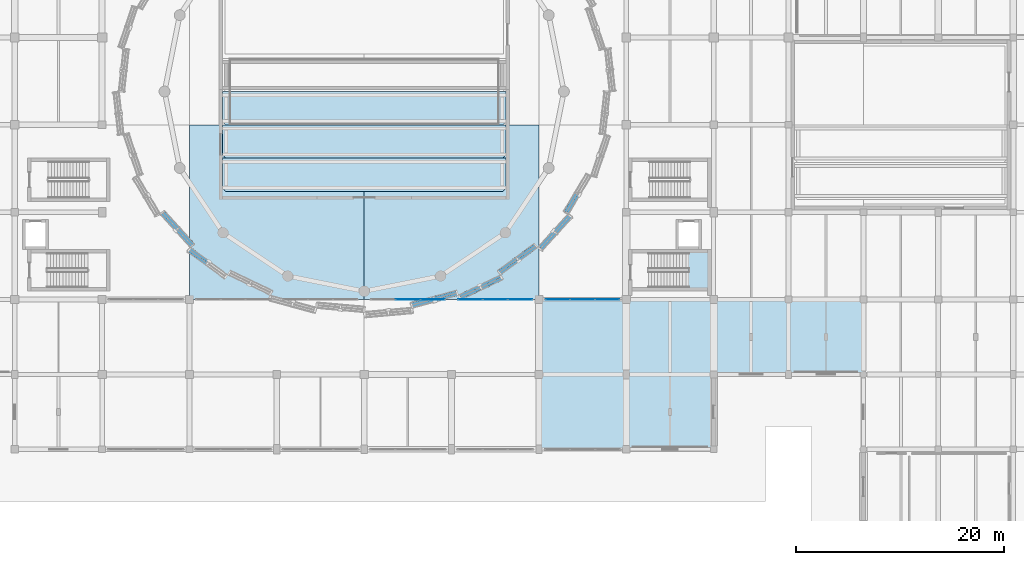
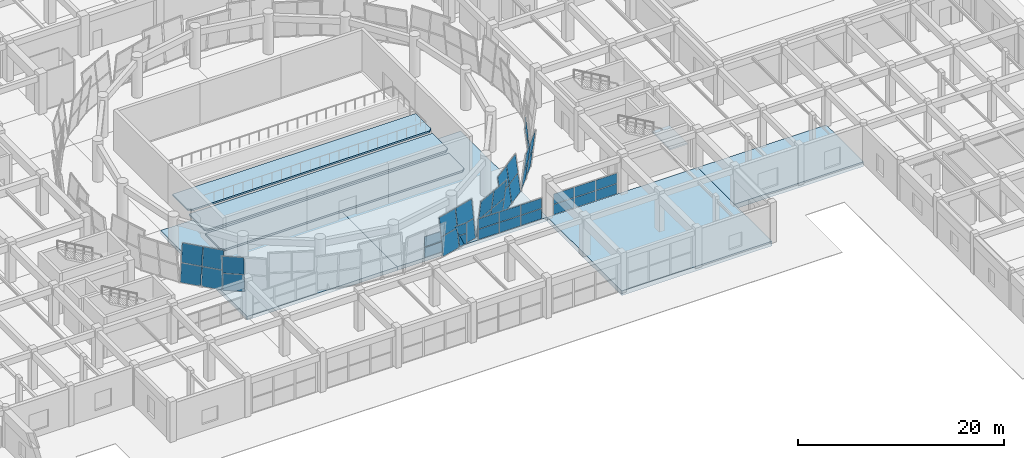
# One storey, part 41 of 72: 40 plates, 8 slabs, 11 elements without a shape of their own.
"""IFC4 building model written with IfcOpenShell, lengths in metres."""

import ifcopenshell
import ifcopenshell.guid

model = None  # the IFC model being written
_history = None  # IfcOwnerHistory: only IFC2X3 demands one
_inside = {}  # id of a spatial element -> (the spatial element, [elements in it])
_under = {}  # id of a project, library or spatial element -> (it, [spatial elements below it])
_declared = {}  # id of a project -> (the project, [libraries it declares])
_typed = {}  # id of a type object -> (the type object, [elements of that type])
_made_of = {}  # id of a material, layer set ... -> (it, [elements and type objects made of it])


def new_model(schema):
    """Start an empty IFC model of exactly this schema.

    Asked for "IFC4X3", IfcOpenShell would pick the latest addendum, in which some entities
    have other attributes; the version numbers below select the first issue.
    IFC2X3 requires an IfcOwnerHistory on every rooted entity: one is made here for all.
    """
    global model, _history
    if schema == "IFC4X3":
        model = ifcopenshell.file(schema_version=(4, 3, 0, 0))
    else:
        model = ifcopenshell.file(schema=schema)
    _inside.clear()
    _under.clear()
    _declared.clear()
    _typed.clear()
    _made_of.clear()
    _history = None
    if model.schema == "IFC2X3":
        org = make("IfcOrganization", Name="unknown")
        user = make(
            "IfcPersonAndOrganization",
            ThePerson=make("IfcPerson", FamilyName="unknown"),
            TheOrganization=org,
        )
        app = make(
            "IfcApplication",
            ApplicationDeveloper=org,
            Version="unknown",
            ApplicationFullName="unknown",
            ApplicationIdentifier="unknown",
        )
        _history = make(
            "IfcOwnerHistory",
            OwningUser=user,
            OwningApplication=app,
            ChangeAction="ADDED",
            CreationDate=0,
        )
    return model


def make(cls, **values):
    """One entity of the class cls with the attributes given. An attribute that is None is left unset."""
    return model.create_entity(
        cls, **{name: value for name, value in values.items() if value is not None}
    )


def rooted(cls, **values):
    """An entity with a GlobalId (a new one), such as an element, a storey or a relation."""
    return make(cls, GlobalId=ifcopenshell.guid.new(), OwnerHistory=_history, **values)


def si_unit(unit_type, name, prefix=None):
    """IfcSIUnit, for example si_unit("LENGTHUNIT", "METRE", prefix="MILLI")."""
    return make("IfcSIUnit", UnitType=unit_type, Prefix=prefix, Name=name)


def assignment(units):
    """IfcUnitAssignment: the units of a project."""
    return None if units is None else make("IfcUnitAssignment", Units=units)


def point(xyz):
    """IfcCartesianPoint."""
    return None if xyz is None else make("IfcCartesianPoint", Coordinates=xyz)


def direction(xyz):
    """IfcDirection."""
    return None if xyz is None else make("IfcDirection", DirectionRatios=xyz)


def frame(location, z_axis=None, x_axis=None):
    """IfcAxis2Placement3D, a coordinate frame: its origin and axes. An axis left out is left unset."""
    return make(
        "IfcAxis2Placement3D",
        Location=point(location),
        Axis=direction(z_axis),
        RefDirection=direction(x_axis),
    )


def frame_2d(location, x_axis=None):
    """IfcAxis2Placement2D, a coordinate frame in the plane: its origin and x axis."""
    return make(
        "IfcAxis2Placement2D", Location=point(location), RefDirection=direction(x_axis)
    )


def origin():
    """The frame at (0, 0, 0) with its axes left unset."""
    return frame((0.0, 0.0, 0.0))


def origin_2d():
    """The frame at (0, 0) in the plane with its x axis left unset."""
    return frame_2d((0.0, 0.0))


def place(relative_to, where):
    """IfcLocalPlacement: puts the frame where relative to a parent placement (None: the world)."""
    return make(
        "IfcLocalPlacement", PlacementRelTo=relative_to, RelativePlacement=where
    )


def context(
    kind, dimensions, precision=None, world=None, true_north=None, identifier=None
):
    """IfcGeometricRepresentationContext, for example the 3D "Model" context."""
    return make(
        "IfcGeometricRepresentationContext",
        ContextIdentifier=identifier,
        ContextType=kind,
        CoordinateSpaceDimension=dimensions,
        Precision=precision,
        WorldCoordinateSystem=world,
        TrueNorth=true_north,
    )


def subcontext(parent, identifier, kind, view, scale=None):
    """IfcGeometricRepresentationSubContext, for example "Body" below "Model"."""
    return make(
        "IfcGeometricRepresentationSubContext",
        ContextIdentifier=identifier,
        ContextType=kind,
        ParentContext=parent,
        TargetScale=scale,
        TargetView=view,
    )


def project(units=None, contexts=None):
    """IfcProject with its units and contexts."""
    return rooted(
        "IfcProject",
        Name="project",
        RepresentationContexts=contexts,
        UnitsInContext=assignment(units),
    )


def spatial(cls, under=None, at=None, **own):
    """A site, building, storey or space (cls), placed at a placement, below another one or the project."""
    s = rooted(cls, ObjectPlacement=at, **own)
    if under is not None:
        _under.setdefault(under.id(), (under, []))[1].append(s)
    return s


def polyline(points):
    """IfcPolyline through the points."""
    return make("IfcPolyline", Points=[point(p) for p in points])


def profile(cls, at=None, kind="AREA", **sizes):
    """A parametric profile (cls). Its sizes go by their IFC names, for example OverallWidth=200.0."""
    return make(cls, ProfileType=kind, Position=at, **sizes)


def rectangle(**sizes):
    """IfcRectangleProfileDef."""
    return profile("IfcRectangleProfileDef", **sizes)


def outline(outer, holes=None, kind="AREA"):
    """IfcArbitraryClosedProfileDef: a profile drawn as a closed curve; with holes, ...WithVoids."""
    if holes is None:
        return make("IfcArbitraryClosedProfileDef", ProfileType=kind, OuterCurve=outer)
    return make(
        "IfcArbitraryProfileDefWithVoids",
        ProfileType=kind,
        OuterCurve=outer,
        InnerCurves=holes,
    )


def extrude(swept, where, along, depth):
    """IfcExtrudedAreaSolid: the profile swept, set in the frame where, extruded along a direction by depth."""
    return make(
        "IfcExtrudedAreaSolid",
        SweptArea=swept,
        Position=where,
        ExtrudedDirection=direction(along),
        Depth=depth,
    )


def shape(context_of_items, identifier, shape_type, items):
    """IfcShapeRepresentation: the items that make up one representation, for example the "Body"."""
    return make(
        "IfcShapeRepresentation",
        ContextOfItems=context_of_items,
        RepresentationIdentifier=identifier,
        RepresentationType=shape_type,
        Items=items,
    )


def material(Name=None, Category=None):
    """IfcMaterial."""
    return make("IfcMaterial", Name=Name, Category=Category)


def layer(
    of_material, thickness, ventilated=None, Name=None, Category=None, Priority=None
):
    """IfcMaterialLayer: one layer of a wall or slab, of a material (None: an air gap)."""
    return make(
        "IfcMaterialLayer",
        Material=of_material,
        LayerThickness=thickness,
        IsVentilated=ventilated,
        Name=Name,
        Category=Category,
        Priority=Priority,
    )


def layer_set(layers, Name=None):
    """IfcMaterialLayerSet."""
    return make("IfcMaterialLayerSet", MaterialLayers=layers, LayerSetName=Name)


def made_of(thing, what):
    """Note that an element or type object is made of a material, layer set ...; save() writes the relation."""
    if what is not None:
        _made_of.setdefault(what.id(), (what, []))[1].append(thing)
    return thing


def type_object(cls, material=None, **own):
    """A type object (cls), such as IfcWallType, which elements share."""
    return made_of(rooted(cls, **own), material)


def element(
    cls,
    number,
    at=None,
    inside=None,
    cuts=None,
    type_object=None,
    material=None,
    context=None,
    identifier="Body",
    shape_type=None,
    held_by="IfcProductDefinitionShape",
    body=None,
    shapes=None,
    **own,
):
    """One element of the class cls, such as IfcWall. Its Tag is "e" and its number.

    at: its placement. inside: the storey or other place that contains it. cuts: it is an
    opening in that element (IfcRelVoidsElement). A single representation is given by context,
    identifier, shape_type and body (its items); several are given by shapes. held_by: the class
    of the entity that holds the representations. save() writes the other relations.
    """
    e = rooted(cls, Tag="e%d" % number, ObjectPlacement=at, **own)
    if body is not None:
        shapes = [shape(context, identifier, shape_type, body)]
    if shapes is not None:
        e.Representation = make(held_by, Representations=shapes)
    if inside is not None:
        _inside.setdefault(inside.id(), (inside, []))[1].append(e)
    if cuts is not None:
        rooted(
            "IfcRelVoidsElement", RelatingBuildingElement=cuts, RelatedOpeningElement=e
        )
    if type_object is not None:
        _typed.setdefault(type_object.id(), (type_object, []))[1].append(e)
    return made_of(e, material)


def aggregate(whole, parts):
    """IfcRelAggregates: a whole, such as a stair, and the parts it consists of."""
    return rooted("IfcRelAggregates", RelatingObject=whole, RelatedObjects=parts)


def save(model, path):
    """Write the relations noted so far, then the file.

    IfcRelAggregates (storeys below a building ...), IfcRelContainedInSpatialStructure (elements
    in a storey), IfcRelDefinesByType, IfcRelAssociatesMaterial and IfcRelDeclares: one each for
    every whole, place, type object, material and project.
    """
    for whole, parts in _under.values():
        aggregate(whole, parts)
    for where, things in _inside.values():
        rooted(
            "IfcRelContainedInSpatialStructure",
            RelatedElements=things,
            RelatingStructure=where,
        )
    for kind, things in _typed.values():
        rooted("IfcRelDefinesByType", RelatedObjects=things, RelatingType=kind)
    for what, things in _made_of.values():
        rooted("IfcRelAssociatesMaterial", RelatedObjects=things, RelatingMaterial=what)
    for by, libraries in _declared.values():
        rooted("IfcRelDeclares", RelatingContext=by, RelatedDefinitions=libraries)
    model.write(path)


model = new_model("IFC4")

# Units and contexts
model_context = context("Model", 3, precision=1e-05, world=origin(), true_north=direction((0.0, 1.0)))
body_context = subcontext(model_context, "Body", "Model", "MODEL_VIEW")
ifc_project = project(units=[si_unit("LENGTHUNIT", "METRE"), si_unit("AREAUNIT", "SQUARE_METRE"), si_unit("VOLUMEUNIT", "CUBIC_METRE"), si_unit("PLANEANGLEUNIT", "RADIAN"), si_unit("MASSUNIT", "GRAM", prefix="KILO")], contexts=[model_context])

# Site, building, storey
site_placement = place(None, origin())
site = spatial("IfcSite", under=ifc_project, at=site_placement, CompositionType="ELEMENT")
building_placement = place(site_placement, origin())
building = spatial("IfcBuilding", under=site, at=building_placement, Name="Korsvaeld Concert Hall", CompositionType="ELEMENT")
storey_placement = place(building_placement, origin())
storey = spatial("IfcBuildingStorey", under=building, at=storey_placement, Name="L00", CompositionType="ELEMENT", Elevation=0.0)

# Curtain wall, plates
ifc_material_1 = material(Name="Anodised bronze and ceramic-fritted safety glass", Category="glass")
curtain_wall_type_1 = type_object("IfcCurtainWallType", Name="CW-TYPE-14", PredefinedType="USERDEFINED", material=ifc_material_1)
curtain_wall_1_placement = place(storey_placement, origin())
curtain_wall_1 = element("IfcCurtainWall", 1, at=curtain_wall_1_placement, inside=storey, type_object=curtain_wall_type_1, Name="Glazed foyer acoustic screen L00-22", ObjectType="CURTAIN WALL", PredefinedType="USERDEFINED")
ifc_material_2 = material(Name="Clear acoustic triple safety glazing", Category="glass")
ifc_layer_1 = layer(ifc_material_2, 0.0439453125)
ifc_layer_set_1 = layer_set([ifc_layer_1], Name="Clear acoustic triple safety glazing")
plate_type_1 = type_object("IfcPlateType", Name="CWP-CLEAR-44", PredefinedType="CURTAIN_PANEL", material=ifc_layer_set_1)
plate_1_placement = place(storey_placement, frame((88.199951171875, 43.199951171875, 0.06005859375), z_axis=(0.0, 0.0, 1.0), x_axis=(1.0, 0.0, 0.0)))
plate_1 = element("IfcPlate", 2, at=plate_1_placement, type_object=plate_type_1, Name="CW-14 panel 2.1", PredefinedType="CURTAIN_PANEL", context=body_context, shape_type="SweptSolid", body=[
    extrude(rectangle(XDim=2.340087890625, YDim=0.0439453125, at=origin_2d()), origin(), (0.0, 0.0, 1.0), 1.18505859375),
])
plate_2_placement = place(storey_placement, frame((88.199951171875, 43.199951171875, 1.304931640625), z_axis=(0.0, 0.0, 1.0), x_axis=(1.0, 0.0, 0.0)))
plate_2 = element("IfcPlate", 3, at=plate_2_placement, type_object=plate_type_1, Name="CW-14 panel 2.2", PredefinedType="CURTAIN_PANEL", context=body_context, shape_type="SweptSolid", body=[
    extrude(rectangle(XDim=2.340087890625, YDim=0.0439453125, at=origin_2d()), origin(), (0.0, 0.0, 1.0), 1.18505859375),
])
plate_3_placement = place(storey_placement, frame((90.5849609375, 43.199951171875, 0.06005859375), z_axis=(0.0, 0.0, 1.0), x_axis=(1.0, 0.0, 0.0)))
plate_3 = element("IfcPlate", 4, at=plate_3_placement, type_object=plate_type_1, Name="CW-14 panel 3.1", PredefinedType="CURTAIN_PANEL", context=body_context, shape_type="SweptSolid", body=[
    extrude(rectangle(XDim=2.31005859375, YDim=0.0439453125, at=origin_2d()), origin(), (0.0, 0.0, 1.0), 1.18505859375),
])
plate_4_placement = place(storey_placement, frame((90.5849609375, 43.199951171875, 1.304931640625), z_axis=(0.0, 0.0, 1.0), x_axis=(1.0, 0.0, 0.0)))
plate_4 = element("IfcPlate", 5, at=plate_4_placement, type_object=plate_type_1, Name="CW-14 panel 3.2", PredefinedType="CURTAIN_PANEL", context=body_context, shape_type="SweptSolid", body=[
    extrude(rectangle(XDim=2.31005859375, YDim=0.0439453125, at=origin_2d()), origin(), (0.0, 0.0, 1.0), 1.18505859375),
])
aggregate(curtain_wall_1, [plate_1, plate_2, plate_3, plate_4])

curtain_wall_type_2 = type_object("IfcCurtainWallType", Name="CW-TYPE-15", PredefinedType="USERDEFINED", material=ifc_material_1)
curtain_wall_2_placement = place(storey_placement, origin())
curtain_wall_2 = element("IfcCurtainWall", 6, at=curtain_wall_2_placement, inside=storey, type_object=curtain_wall_type_2, Name="Glazed foyer acoustic screen L00-23", ObjectType="CURTAIN WALL", PredefinedType="USERDEFINED")
plate_5_placement = place(storey_placement, frame((94.215087890625, 43.199951171875, 0.06005859375), z_axis=(0.0, 0.0, 1.0), x_axis=(1.0, 0.0, 0.0)))
plate_5 = element("IfcPlate", 7, at=plate_5_placement, type_object=plate_type_1, Name="CW-15 panel 1.1", PredefinedType="CURTAIN_PANEL", context=body_context, shape_type="SweptSolid", body=[
    extrude(rectangle(XDim=2.31005859375, YDim=0.0439453125, at=origin_2d()), origin(), (0.0, 0.0, 1.0), 1.18505859375),
])
plate_6_placement = place(storey_placement, frame((94.215087890625, 43.199951171875, 1.304931640625), z_axis=(0.0, 0.0, 1.0), x_axis=(1.0, 0.0, 0.0)))
plate_6 = element("IfcPlate", 8, at=plate_6_placement, type_object=plate_type_1, Name="CW-15 panel 1.2", PredefinedType="CURTAIN_PANEL", context=body_context, shape_type="SweptSolid", body=[
    extrude(rectangle(XDim=2.31005859375, YDim=0.0439453125, at=origin_2d()), origin(), (0.0, 0.0, 1.0), 1.18505859375),
])
plate_7_placement = place(storey_placement, frame((96.60009765625, 43.199951171875, 0.06005859375), z_axis=(0.0, 0.0, 1.0), x_axis=(1.0, 0.0, 0.0)))
plate_7 = element("IfcPlate", 9, at=plate_7_placement, type_object=plate_type_1, Name="CW-15 panel 2.1", PredefinedType="CURTAIN_PANEL", context=body_context, shape_type="SweptSolid", body=[
    extrude(rectangle(XDim=2.340087890625, YDim=0.0439453125, at=origin_2d()), origin(), (0.0, 0.0, 1.0), 1.18505859375),
])
plate_8_placement = place(storey_placement, frame((96.60009765625, 43.199951171875, 1.304931640625), z_axis=(0.0, 0.0, 1.0), x_axis=(1.0, 0.0, 0.0)))
plate_8 = element("IfcPlate", 10, at=plate_8_placement, type_object=plate_type_1, Name="CW-15 panel 2.2", PredefinedType="CURTAIN_PANEL", context=body_context, shape_type="SweptSolid", body=[
    extrude(rectangle(XDim=2.340087890625, YDim=0.0439453125, at=origin_2d()), origin(), (0.0, 0.0, 1.0), 1.18505859375),
])
plate_9_placement = place(storey_placement, frame((98.985107421875, 43.199951171875, 0.06005859375), z_axis=(0.0, 0.0, 1.0), x_axis=(1.0, 0.0, 0.0)))
plate_9 = element("IfcPlate", 11, at=plate_9_placement, type_object=plate_type_1, Name="CW-15 panel 3.1", PredefinedType="CURTAIN_PANEL", context=body_context, shape_type="SweptSolid", body=[
    extrude(rectangle(XDim=2.31005859375, YDim=0.0439453125, at=origin_2d()), origin(), (0.0, 0.0, 1.0), 1.18505859375),
])
plate_10_placement = place(storey_placement, frame((98.985107421875, 43.199951171875, 1.304931640625), z_axis=(0.0, 0.0, 1.0), x_axis=(1.0, 0.0, 0.0)))
plate_10 = element("IfcPlate", 12, at=plate_10_placement, type_object=plate_type_1, Name="CW-15 panel 3.2", PredefinedType="CURTAIN_PANEL", context=body_context, shape_type="SweptSolid", body=[
    extrude(rectangle(XDim=2.31005859375, YDim=0.0439453125, at=origin_2d()), origin(), (0.0, 0.0, 1.0), 1.18505859375),
])
aggregate(curtain_wall_2, [plate_5, plate_6, plate_7, plate_8, plate_9, plate_10])

curtain_wall_type_3 = type_object("IfcCurtainWallType", Name="CW-TYPE-08", PredefinedType="USERDEFINED", material=ifc_material_1)
curtain_wall_3_placement = place(storey_placement, origin())
curtain_wall_3 = element("IfcCurtainWall", 13, at=curtain_wall_3_placement, inside=storey, type_object=curtain_wall_type_3, Name="Glazed foyer acoustic screen L00-24", ObjectType="CURTAIN WALL", PredefinedType="USERDEFINED")
plate_11_placement = place(storey_placement, frame((102.614990234375, 43.199951171875, 0.06005859375), z_axis=(0.0, 0.0, 1.0), x_axis=(1.0, 0.0, 0.0)))
plate_11 = element("IfcPlate", 14, at=plate_11_placement, type_object=plate_type_1, Name="CW-08 panel 1.1", PredefinedType="CURTAIN_PANEL", context=body_context, shape_type="SweptSolid", body=[
    extrude(rectangle(XDim=2.31005859375, YDim=0.0439453125, at=origin_2d()), origin(), (0.0, 0.0, 1.0), 1.18505859375),
])
plate_12_placement = place(storey_placement, frame((102.614990234375, 43.199951171875, 1.304931640625), z_axis=(0.0, 0.0, 1.0), x_axis=(1.0, 0.0, 0.0)))
plate_12 = element("IfcPlate", 15, at=plate_12_placement, type_object=plate_type_1, Name="CW-08 panel 1.2", PredefinedType="CURTAIN_PANEL", context=body_context, shape_type="SweptSolid", body=[
    extrude(rectangle(XDim=2.31005859375, YDim=0.0439453125, at=origin_2d()), origin(), (0.0, 0.0, 1.0), 1.18505859375),
])
plate_13_placement = place(storey_placement, frame((105.0, 43.199951171875, 0.06005859375), z_axis=(0.0, 0.0, 1.0), x_axis=(1.0, 0.0, 0.0)))
plate_13 = element("IfcPlate", 16, at=plate_13_placement, type_object=plate_type_1, Name="CW-08 panel 2.1", PredefinedType="CURTAIN_PANEL", context=body_context, shape_type="SweptSolid", body=[
    extrude(rectangle(XDim=2.340087890625, YDim=0.0439453125, at=origin_2d()), origin(), (0.0, 0.0, 1.0), 1.18505859375),
])
plate_14_placement = place(storey_placement, frame((105.0, 43.199951171875, 1.304931640625), z_axis=(0.0, 0.0, 1.0), x_axis=(1.0, 0.0, 0.0)))
plate_14 = element("IfcPlate", 17, at=plate_14_placement, type_object=plate_type_1, Name="CW-08 panel 2.2", PredefinedType="CURTAIN_PANEL", context=body_context, shape_type="SweptSolid", body=[
    extrude(rectangle(XDim=2.340087890625, YDim=0.0439453125, at=origin_2d()), origin(), (0.0, 0.0, 1.0), 1.18505859375),
])
plate_15_placement = place(storey_placement, frame((107.385009765625, 43.199951171875, 0.06005859375), z_axis=(0.0, 0.0, 1.0), x_axis=(1.0, 0.0, 0.0)))
plate_15 = element("IfcPlate", 18, at=plate_15_placement, type_object=plate_type_1, Name="CW-08 panel 3.1", PredefinedType="CURTAIN_PANEL", context=body_context, shape_type="SweptSolid", body=[
    extrude(rectangle(XDim=2.31005859375, YDim=0.0439453125, at=origin_2d()), origin(), (0.0, 0.0, 1.0), 1.18505859375),
])
plate_16_placement = place(storey_placement, frame((107.385009765625, 43.199951171875, 1.304931640625), z_axis=(0.0, 0.0, 1.0), x_axis=(1.0, 0.0, 0.0)))
plate_16 = element("IfcPlate", 19, at=plate_16_placement, type_object=plate_type_1, Name="CW-08 panel 3.2", PredefinedType="CURTAIN_PANEL", context=body_context, shape_type="SweptSolid", body=[
    extrude(rectangle(XDim=2.31005859375, YDim=0.0439453125, at=origin_2d()), origin(), (0.0, 0.0, 1.0), 1.18505859375),
])
aggregate(curtain_wall_3, [plate_11, plate_12, plate_13, plate_14, plate_15, plate_16])

curtain_wall_type_4 = type_object("IfcCurtainWallType", Name="CW-TYPE-04", PredefinedType="USERDEFINED", material=ifc_material_1)
curtain_wall_4_placement = place(storey_placement, origin())
curtain_wall_4 = element("IfcCurtainWall", 20, at=curtain_wall_4_placement, inside=storey, type_object=curtain_wall_type_4, Name="Crystal curtain-wall facet L00 F20", ObjectType="CURTAIN WALL", PredefinedType="USERDEFINED")
ifc_material_3 = material(Name="Translucent ceramic-fritted crystal safety glass", Category="glass")
ifc_layer_2 = layer(ifc_material_3, 0.035888671875)
ifc_layer_set_2 = layer_set([ifc_layer_2], Name="Translucent ceramic-fritted crystal safety glass")
plate_type_2 = type_object("IfcPlateType", Name="CWP-CRYSTAL-36", PredefinedType="CURTAIN_PANEL", material=ifc_layer_set_2)
plate_17_placement = place(storey_placement, frame((64.433349609375, 51.37060546875, 0.06005859375), z_axis=(-0.733583241039, -0.670207480994, 0.112594675216), x_axis=(0.674496604142, -0.738277949692, 0.0)))
plate_17 = element("IfcPlate", 21, at=plate_17_placement, type_object=plate_type_2, Name="CW-CRYS-L00-F20 ceramic-fritted crystal panel 1.1", PredefinedType="CURTAIN_PANEL", context=body_context, shape_type="SweptSolid", body=[
    extrude(outline(polyline([(0.0, 0.0), (2.0631705985682665, 0.0), (2.0889806269081737, 2.1636610620131993), (0.025810028339907143, 2.1636610620131993), (0.0, 0.0)])), frame((0.0, 0.0, 0.01806640625)), (0.0, 0.0, -1.0), 0.035888671875),
])
plate_18_placement = place(storey_placement, frame((64.635986328125, 51.52001953125, 2.27001953125), z_axis=(-0.733583241039, -0.670207480994, 0.112594675216), x_axis=(0.674496604142, -0.738277949692, 0.0)))
plate_18 = element("IfcPlate", 22, at=plate_18_placement, type_object=plate_type_2, Name="CW-CRYS-L00-F20 ceramic-fritted crystal panel 1.2", PredefinedType="CURTAIN_PANEL", context=body_context, shape_type="SweptSolid", body=[
    extrude(outline(polyline([(0.0, 0.0), (2.0631705985682665, 0.0), (2.0889806269081737, 2.1636610620131993), (0.025810028339907143, 2.1636610620131993), (0.0, 0.0)])), frame((0.0, 0.0, 0.01806640625)), (0.0, 0.0, -1.0), 0.035888671875),
])
plate_19_placement = place(storey_placement, frame((65.87548828125, 49.7919921875, 0.06005859375), z_axis=(-0.733557448558, -0.670242704841, 0.112553037598), x_axis=(0.674529259559, -0.738248114102, 4.884629e-06)))
plate_19 = element("IfcPlate", 23, at=plate_19_placement, type_object=plate_type_2, Name="CW-CRYS-L00-F20 ceramic-fritted crystal panel 2.1", PredefinedType="CURTAIN_PANEL", context=body_context, shape_type="SweptSolid", body=[
    extrude(outline(polyline([(0.0, 0.0), (2.063335276520326, 0.0), (2.0890019021595427, 2.1636405208914824), (0.02583130563422585, 2.1636608062415448), (0.0, 0.0)])), frame((0.0, 0.0, 0.01806640625)), (0.0, 0.0, -1.0), 0.035888671875),
])
plate_20_placement = place(storey_placement, frame((66.078369140625, 49.94140625, 2.27001953125), z_axis=(-0.733590119375, -0.670213765096, 0.112512425229), x_axis=(0.674496604142, -0.738277949692, 0.0)))
plate_20 = element("IfcPlate", 24, at=plate_20_placement, type_object=plate_type_2, Name="CW-CRYS-L00-F20 ceramic-fritted crystal panel 2.2", PredefinedType="CURTAIN_PANEL", context=body_context, shape_type="SweptSolid", body=[
    extrude(outline(polyline([(0.0, 0.0), (2.0631705985682665, 1.3877787807814457e-17), (2.088815954885678, 2.1636407749515705), (0.025645356317411536, 2.1636407749515705), (0.0, 0.0)])), frame((0.0, 0.0, 0.01806640625)), (0.0, 0.0, -1.0), 0.035888671875),
])
aggregate(curtain_wall_4, [plate_17, plate_18, plate_19, plate_20])

curtain_wall_type_5 = type_object("IfcCurtainWallType", Name="CW-TYPE-05", PredefinedType="USERDEFINED", material=ifc_material_1)
curtain_wall_5_placement = place(storey_placement, origin())
curtain_wall_5 = element("IfcCurtainWall", 25, at=curtain_wall_5_placement, inside=storey, type_object=curtain_wall_type_5, Name="Crystal curtain-wall facet L00 F21", ObjectType="CURTAIN WALL", PredefinedType="USERDEFINED")
plate_21_placement = place(storey_placement, frame((67.3681640625, 48.15966796875, 0.06005859375), z_axis=(-0.589668779693, -0.799759489945, -0.112585471969), x_axis=(0.804877212088, -0.593441381633, -5.211754e-06)))
plate_21 = element("IfcPlate", 26, at=plate_21_placement, type_object=plate_type_2, Name="CW-CRYS-L00-F21 ceramic-fritted crystal panel 1.1", PredefinedType="CURTAIN_PANEL", context=body_context, shape_type="SweptSolid", body=[
    extrude(outline(polyline([(0.0, 0.0), (2.1089579535883227, 0.0), (2.083272479101565, 2.1636697182620783), (-0.02583035763656997, 2.163647594103385), (0.0, 0.0)])), frame((0.0, 0.0, 0.01806640625)), (0.0, 0.0, -1.0), 0.035888671875),
])
plate_22_placement = place(storey_placement, frame((67.1982421875, 47.973876953125, 2.27001953125), z_axis=(-0.589628541717, -0.799782920515, -0.112629760032), x_axis=(0.804904507896, -0.593404358906, 0.0)))
plate_22 = element("IfcPlate", 27, at=plate_22_placement, type_object=plate_type_2, Name="CW-CRYS-L00-F21 ceramic-fritted crystal panel 1.2", PredefinedType="CURTAIN_PANEL", context=body_context, shape_type="SweptSolid", body=[
    extrude(outline(polyline([(0.0, 0.0), (2.1089579558479716, 0.0), (2.083272476869437, 2.1636697204112654), (-0.02568547897853471, 2.1636697204112654), (0.0, 0.0)])), frame((0.0, 0.0, 0.01806640625)), (0.0, 0.0, -1.0), 0.035888671875),
])
aggregate(curtain_wall_5, [plate_21, plate_22])

curtain_wall_type_6 = type_object("IfcCurtainWallType", Name="CW-TYPE-02", PredefinedType="USERDEFINED", material=ifc_material_1)
curtain_wall_6_placement = place(storey_placement, origin())
curtain_wall_6 = element("IfcCurtainWall", 28, at=curtain_wall_6_placement, inside=storey, type_object=curtain_wall_type_6, Name="Crystal curtain-wall facet L00 F26", ObjectType="CURTAIN WALL", PredefinedType="USERDEFINED")
plate_23_placement = place(storey_placement, frame((88.67431640625, 42.43359375, 0.06005859375), z_axis=(0.26122997956, -0.958640086728, 0.112995937528), x_axis=(0.964819139153, 0.262914489306, 6.060661e-06)))
plate_23 = element("IfcPlate", 29, at=plate_23_placement, type_object=plate_type_2, Name="CW-CRYS-L00-F26 ceramic-fritted crystal panel 1.1", PredefinedType="CURTAIN_PANEL", context=body_context, shape_type="SweptSolid", body=[
    extrude(outline(polyline([(0.0, 0.0), (2.181767496984276, 1.3877787807814457e-17), (2.1671471823736, 2.1637470356953674), (-0.014556126502935354, 2.1637736516768), (0.0, 0.0)])), frame((0.0, 0.0, 0.01806640625)), (0.0, 0.0, -1.0), 0.035888671875),
])
plate_24_placement = place(storey_placement, frame((88.59375, 42.672119140625, 2.27001953125), z_axis=(0.26122997956, -0.958640086728, 0.112995937528), x_axis=(0.964819139153, 0.262914489306, 6.060661e-06)))
plate_24 = element("IfcPlate", 30, at=plate_24_placement, type_object=plate_type_2, Name="CW-CRYS-L00-F26 ceramic-fritted crystal panel 1.2", PredefinedType="CURTAIN_PANEL", context=body_context, shape_type="SweptSolid", body=[
    extrude(outline(polyline([(0.0, 0.0), (2.181767496984276, 1.3877787807814457e-17), (2.1671471823736, 2.1637470356953674), (-0.014556126502935354, 2.1637736516768), (0.0, 0.0)])), frame((0.0, 0.0, 0.01806640625)), (0.0, 0.0, -1.0), 0.035888671875),
])
plate_25_placement = place(storey_placement, frame((90.851806640625, 43.02685546875, 0.06005859375), z_axis=(0.26122997956, -0.958640086728, 0.112995937528), x_axis=(0.964819139153, 0.262914489306, 6.060661e-06)))
plate_25 = element("IfcPlate", 31, at=plate_25_placement, type_object=plate_type_2, Name="CW-CRYS-L00-F26 ceramic-fritted crystal panel 2.1", PredefinedType="CURTAIN_PANEL", context=body_context, shape_type="SweptSolid", body=[
    extrude(outline(polyline([(0.0, 0.0), (2.181767496984276, 1.3877787807814457e-17), (2.1671471823736, 2.1637470356953674), (-0.014556126502935354, 2.1637736516768), (0.0, 0.0)])), frame((0.0, 0.0, 0.01806640625)), (0.0, 0.0, -1.0), 0.035888671875),
])
plate_26_placement = place(storey_placement, frame((90.771240234375, 43.265380859375, 2.27001953125), z_axis=(0.261280110209, -0.958620046901, 0.113050031794), x_axis=(0.964805126409, 0.262965906641, 0.0)))
plate_26 = element("IfcPlate", 32, at=plate_26_placement, type_object=plate_type_2, Name="CW-CRYS-L00-F26 ceramic-fritted crystal panel 2.2", PredefinedType="CURTAIN_PANEL", context=body_context, shape_type="SweptSolid", body=[
    extrude(outline(polyline([(0.0, 0.0), (2.1817675001225645, 0.0), (2.167211379917143, 2.1637736548835504), (-0.014556120205421234, 2.1637736548835504), (0.0, 0.0)])), frame((0.0, 0.0, 0.01806640625)), (0.0, 0.0, -1.0), 0.035888671875),
])
aggregate(curtain_wall_6, [plate_23, plate_24, plate_25, plate_26])

curtain_wall_type_7 = type_object("IfcCurtainWallType", Name="CW-TYPE-03", PredefinedType="USERDEFINED", material=ifc_material_1)
curtain_wall_7_placement = place(storey_placement, origin())
curtain_wall_7 = element("IfcCurtainWall", 33, at=curtain_wall_7_placement, inside=storey, type_object=curtain_wall_type_7, Name="Crystal curtain-wall facet L00 F27", ObjectType="CURTAIN WALL", PredefinedType="USERDEFINED")
plate_27_placement = place(storey_placement, frame((93.102294921875, 43.640380859375, 0.06005859375), z_axis=(0.430065975453, -0.895721672941, -0.112809314252), x_axis=(0.901475958714, 0.432829176294, -2.981627e-06)))
plate_27 = element("IfcPlate", 34, at=plate_27_placement, type_object=plate_type_2, Name="CW-CRYS-L00-F27 ceramic-fritted crystal panel 1.1", PredefinedType="CURTAIN_PANEL", context=body_context, shape_type="SweptSolid", body=[
    extrude(outline(polyline([(0.0, 0.0), (2.150634335292686, 0.0), (2.1723382736394994, 2.1637205942395847), (0.02202969643641474, 2.1637076880459456), (0.0, 0.0)])), frame((0.0, 0.0, 0.01806640625)), (0.0, 0.0, -1.0), 0.035888671875),
])
plate_28_placement = place(storey_placement, frame((93.231201171875, 43.424072265625, 2.27001953125), z_axis=(0.430045165703, -0.895734730713, -0.112784961986), x_axis=(0.901487020426, 0.432806136705, 5.734498e-06)))
plate_28 = element("IfcPlate", 35, at=plate_28_placement, type_object=plate_type_2, Name="CW-CRYS-L00-F27 ceramic-fritted crystal panel 1.2", PredefinedType="CURTAIN_PANEL", context=body_context, shape_type="SweptSolid", body=[
    extrude(outline(polyline([(0.0, 0.0), (2.1505286675603026, 1.3877787807814457e-17), (2.172363249989765, 2.1636955181238986), (0.0217289168687438, 2.16372034152366), (0.0, 0.0)])), frame((0.0, 0.0, 0.01806640625)), (0.0, 0.0, -1.0), 0.035888671875),
])
plate_29_placement = place(storey_placement, frame((95.108642578125, 44.603759765625, 0.06005859375), z_axis=(0.430045165703, -0.895734730713, -0.112784961986), x_axis=(0.901487020426, 0.432806136705, 5.734498e-06)))
plate_29 = element("IfcPlate", 36, at=plate_29_placement, type_object=plate_type_2, Name="CW-CRYS-L00-F27 ceramic-fritted crystal panel 2.1", PredefinedType="CURTAIN_PANEL", context=body_context, shape_type="SweptSolid", body=[
    extrude(outline(polyline([(0.0, 0.0), (2.1505286675603026, 1.3877787807814457e-17), (2.172363249989765, 2.1636955181238986), (0.0217289168687438, 2.16372034152366), (0.0, 0.0)])), frame((0.0, 0.0, 0.01806640625)), (0.0, 0.0, -1.0), 0.035888671875),
])
plate_30_placement = place(storey_placement, frame((95.237548828125, 44.38720703125, 2.27001953125), z_axis=(0.430114251458, -0.895704750511, -0.112759614248), x_axis=(0.901453820727, 0.432875281219, -2.753121e-06)))
plate_30 = element("IfcPlate", 37, at=plate_30_placement, type_object=plate_type_2, Name="CW-CRYS-L00-F27 ceramic-fritted crystal panel 2.2", PredefinedType="CURTAIN_PANEL", context=body_context, shape_type="SweptSolid", body=[
    extrude(outline(polyline([(0.0, 0.0), (2.1504142538707613, 2.7755575615628914e-17), (2.1724319607695017, 2.1637078101933125), (0.021797625399539444, 2.163695892879906), (0.0, 0.0)])), frame((0.0, 0.0, 0.01806640625)), (0.0, 0.0, -1.0), 0.035888671875),
])
aggregate(curtain_wall_7, [plate_27, plate_28, plate_29, plate_30])

curtain_wall_8_placement = place(storey_placement, origin())
curtain_wall_8 = element("IfcCurtainWall", 38, at=curtain_wall_8_placement, inside=storey, type_object=curtain_wall_type_4, Name="Crystal curtain-wall facet L00 F28", ObjectType="CURTAIN WALL", PredefinedType="USERDEFINED")
plate_31_placement = place(storey_placement, frame((97.167236328125, 45.622314453125, 0.06005859375), z_axis=(0.589628541717, -0.799782920515, 0.112629760032), x_axis=(0.804904507896, 0.593404358906, 0.0)))
plate_31 = element("IfcPlate", 39, at=plate_31_placement, type_object=plate_type_2, Name="CW-CRYS-L00-F28 ceramic-fritted crystal panel 1.1", PredefinedType="CURTAIN_PANEL", context=body_context, shape_type="SweptSolid", body=[
    extrude(outline(polyline([(0.0, 0.0), (2.1089579558479716, 0.0), (2.083272476869437, 2.1636697204112654), (-0.02568547897853471, 2.1636697204112654), (0.0, 0.0)])), frame((0.0, 0.0, 0.01806640625)), (0.0, 0.0, -1.0), 0.035888671875),
])
plate_32_placement = place(storey_placement, frame((96.997314453125, 45.808349609375, 2.27001953125), z_axis=(0.589609349397, -0.799814399343, 0.112506629614), x_axis=(0.804925146256, 0.593376363626, -3.83923e-06)))
plate_32 = element("IfcPlate", 40, at=plate_32_placement, type_object=plate_type_2, Name="CW-CRYS-L00-F28 ceramic-fritted crystal panel 1.2", PredefinedType="CURTAIN_PANEL", context=body_context, shape_type="SweptSolid", body=[
    extrude(outline(polyline([(0.0, 0.0), (2.1091544694851345, 2.7755575615628914e-17), (2.0833073935105335, 2.163647395455032), (-0.02565056104631553, 2.1636310976757125), (0.0, 0.0)])), frame((0.0, 0.0, 0.01806640625)), (0.0, 0.0, -1.0), 0.035888671875),
])
plate_33_placement = place(storey_placement, frame((98.925048828125, 46.91845703125, 0.06005859375), z_axis=(0.589609349397, -0.799814399343, 0.112506629614), x_axis=(0.804925146256, 0.593376363626, -3.83923e-06)))
plate_33 = element("IfcPlate", 41, at=plate_33_placement, type_object=plate_type_2, Name="CW-CRYS-L00-F28 ceramic-fritted crystal panel 2.1", PredefinedType="CURTAIN_PANEL", context=body_context, shape_type="SweptSolid", body=[
    extrude(outline(polyline([(0.0, 0.0), (2.1091544694851345, 2.7755575615628914e-17), (2.0833073935105335, 2.163647395455032), (-0.02565056104631553, 2.1636310976757125), (0.0, 0.0)])), frame((0.0, 0.0, 0.01806640625)), (0.0, 0.0, -1.0), 0.035888671875),
])
plate_34_placement = place(storey_placement, frame((98.75537109375, 47.104248046875, 2.27001953125), z_axis=(0.589628541717, -0.799782920515, 0.112629760032), x_axis=(0.804904507896, 0.593404358906, 0.0)))
plate_34 = element("IfcPlate", 42, at=plate_34_placement, type_object=plate_type_2, Name="CW-CRYS-L00-F28 ceramic-fritted crystal panel 2.2", PredefinedType="CURTAIN_PANEL", context=body_context, shape_type="SweptSolid", body=[
    extrude(outline(polyline([(0.0, 0.0), (2.1089579558479716, 0.0), (2.083272476869437, 2.1636697204112654), (-0.02568547897853471, 2.1636697204112654), (0.0, 0.0)])), frame((0.0, 0.0, 0.01806640625)), (0.0, 0.0, -1.0), 0.035888671875),
])
aggregate(curtain_wall_8, [plate_31, plate_32, plate_33, plate_34])

curtain_wall_9_placement = place(storey_placement, origin())
curtain_wall_9 = element("IfcCurtainWall", 43, at=curtain_wall_9_placement, inside=storey, type_object=curtain_wall_type_5, Name="Crystal curtain-wall facet L00 F29", ObjectType="CURTAIN WALL", PredefinedType="USERDEFINED")
plate_35_placement = place(storey_placement, frame((100.743896484375, 48.260498046875, 0.06005859375), z_axis=(0.73361368372, -0.670181584615, -0.112550462912), x_axis=(0.674466768859, 0.738305206324, -4.462485e-06)))
plate_35 = element("IfcPlate", 44, at=plate_35_placement, type_object=plate_type_2, Name="CW-CRYS-L00-F29 ceramic-fritted crystal panel 1.1", PredefinedType="CURTAIN_PANEL", context=body_context, shape_type="SweptSolid", body=[
    extrude(outline(polyline([(0.0, 0.0), (2.0633508471575874, 0.0), (2.088796521683534, 2.163659535929988), (0.025625924820459365, 2.163641003636698), (0.0, 0.0)])), frame((0.0, 0.0, 0.01806640625)), (0.0, 0.0, -1.0), 0.035888671875),
])
plate_36_placement = place(storey_placement, frame((100.946533203125, 48.111083984375, 2.27001953125), z_axis=(0.73361368372, -0.670181584615, -0.112550462912), x_axis=(0.674466768859, 0.738305206324, -4.462485e-06)))
plate_36 = element("IfcPlate", 45, at=plate_36_placement, type_object=plate_type_2, Name="CW-CRYS-L00-F29 ceramic-fritted crystal panel 1.2", PredefinedType="CURTAIN_PANEL", context=body_context, shape_type="SweptSolid", body=[
    extrude(outline(polyline([(0.0, 0.0), (2.0633508471575874, 0.0), (2.088796521683534, 2.163659535929988), (0.025625924820459365, 2.163641003636698), (0.0, 0.0)])), frame((0.0, 0.0, 0.01806640625)), (0.0, 0.0, -1.0), 0.035888671875),
])
plate_37_placement = place(storey_placement, frame((102.18603515625, 49.839111328125, 0.06005859375), z_axis=(0.733581012986, -0.670210524004, -0.112591078246), x_axis=(0.674498607689, 0.738276119171, -9.350688e-06)))
plate_37 = element("IfcPlate", 46, at=plate_37_placement, type_object=plate_type_2, Name="CW-CRYS-L00-F29 ceramic-fritted crystal panel 2.1", PredefinedType="CURTAIN_PANEL", context=body_context, shape_type="SweptSolid", body=[
    extrude(outline(polyline([(0.0, 0.0), (2.063350841663629, 0.0), (2.0889611848828897, 2.1636798328131697), (0.025625913900774917, 2.1636409985267298), (0.0, 0.0)])), frame((0.0, 0.0, 0.01806640625)), (0.0, 0.0, -1.0), 0.035888671875),
])
plate_38_placement = place(storey_placement, frame((102.388671875, 49.689697265625, 2.27001953125), z_axis=(0.733606802617, -0.670175298489, -0.112632714827), x_axis=(0.674466768313, 0.738305206823, -4.465704e-06)))
plate_38 = element("IfcPlate", 47, at=plate_38_placement, type_object=plate_type_2, Name="CW-CRYS-L00-F29 ceramic-fritted crystal panel 2.2", PredefinedType="CURTAIN_PANEL", context=body_context, shape_type="SweptSolid", body=[
    extrude(outline(polyline([(0.0, 0.0), (2.0633508471576176, -2.7755575615628914e-17), (2.0889611793207092, 2.1636798381832705), (0.025790582457725728, 2.1636612923465752), (0.0, 0.0)])), frame((0.0, 0.0, 0.01806640625)), (0.0, 0.0, -1.0), 0.035888671875),
])
aggregate(curtain_wall_9, [plate_35, plate_36, plate_37, plate_38])

curtain_wall_type_8 = type_object("IfcCurtainWallType", Name="CW-TYPE-06", PredefinedType="USERDEFINED", material=ifc_material_1)
curtain_wall_10_placement = place(storey_placement, origin())
curtain_wall_10 = element("IfcCurtainWall", 48, at=curtain_wall_10_placement, inside=storey, type_object=curtain_wall_type_8, Name="Crystal curtain-wall facet L00 F30", ObjectType="CURTAIN WALL", PredefinedType="USERDEFINED")
plate_39_placement = place(storey_placement, frame((103.65478515625, 51.4892578125, 0.06005859375), z_axis=(0.85389163974, -0.508095848075, 0.112728331628), x_axis=(0.511354967734, 0.859369592761, 3.461034e-06)))
plate_39 = element("IfcPlate", 49, at=plate_39_placement, type_object=plate_type_2, Name="CW-CRYS-L00-F30 ceramic-fritted crystal panel 1.1", PredefinedType="CURTAIN_PANEL", context=body_context, shape_type="SweptSolid", body=[
    extrude(outline(polyline([(0.0, 0.0), (2.0201464947764314, 2.7755575615628914e-17), (1.9983525470947756, 2.163687100649114), (-0.021584140652173123, 2.163701173216749), (0.0, 0.0)])), frame((0.0, 0.0, 0.01806640625)), (0.0, 0.0, -1.0), 0.035888671875),
])
plate_40_placement = place(storey_placement, frame((103.427978515625, 51.598388671875, 2.27001953125), z_axis=(0.853869409378, -0.508118350363, 0.112795273625), x_axis=(0.511381861684, 0.859353589357, 0.0)))
plate_40 = element("IfcPlate", 50, at=plate_40_placement, type_object=plate_type_2, Name="CW-CRYS-L00-F30 ceramic-fritted crystal panel 1.2", PredefinedType="CURTAIN_PANEL", context=body_context, shape_type="SweptSolid", body=[
    extrude(outline(polyline([(0.0, 0.0), (2.0199366887482033, 1.3877787807814457e-17), (1.998002819841314, 2.163710604428189), (-0.021933868906889475, 2.163710604428189), (0.0, 0.0)])), frame((0.0, 0.0, 0.01806640625)), (0.0, 0.0, -1.0), 0.035888671875),
])
aggregate(curtain_wall_10, [plate_39, plate_40])

# Slabs
ifc_material_4 = material(Name="Concrete C35/45", Category="concrete")
ifc_layer_3 = layer(ifc_material_4, 0.550048828125)
ifc_layer_set_3 = layer_set([ifc_layer_3], Name="Concrete C35/45")
slab_type_1 = type_object("IfcSlabType", Name="SLB-GND-550", PredefinedType="BASESLAB", material=ifc_layer_set_3)
slab_1_placement = place(storey_placement, frame((0.0, 0.0, -0.550048828125)))
element("IfcSlab", 51, at=slab_1_placement, inside=storey, type_object=slab_type_1, Name="Structural slab L00 V4_PASS_C 4.1", PredefinedType="BASESLAB", context=body_context, shape_type="SweptSolid", body=[
    extrude(outline(polyline([(100.800048828125, 28.800048828125), (100.800048828125, 43.199951171875), (117.60009765625, 43.199951171875), (117.60009765625, 28.800048828125), (100.800048828125, 28.800048828125)])), origin(), (0.0, 0.0, 1.0), 0.550048828125),
])
slab_2_placement = place(storey_placement, frame((0.0, 0.0, -0.550048828125)))
element("IfcSlab", 52, at=slab_2_placement, inside=storey, type_object=slab_type_1, Name="Structural slab L00 V4_PASS_E 1.1", PredefinedType="BASESLAB", context=body_context, shape_type="SweptSolid", body=[
    extrude(outline(polyline([(117.60009765625, 36.0), (117.60009765625, 43.199951171875), (132.0, 43.199951171875), (132.0, 36.0), (117.60009765625, 36.0)])), origin(), (0.0, 0.0, 1.0), 0.550048828125),
])

# Stair, slab
ifc_material_5 = material(Name="Precast concrete C40/50", Category="concrete")
stair_type = type_object("IfcStairType", Name="STR-HT-155-48", PredefinedType="HALF_TURN_STAIR", material=ifc_material_5)
stair_placement = place(storey_placement, origin())
stair = element("IfcStair", 53, at=stair_placement, inside=storey, type_object=stair_type, Name="L00 ST-K4", PredefinedType="HALF_TURN_STAIR")
ifc_layer_4 = layer(ifc_material_5, 0.179931640625)
ifc_layer_set_4 = layer_set([ifc_layer_4], Name="Precast concrete C40/50")
slab_type_2 = type_object("IfcSlabType", Name="SLB-LANDING-180", PredefinedType="LANDING", material=ifc_layer_set_4)
slab_3_placement = place(storey_placement, frame((0.0, 0.0, 2.219970703125)))
slab_3 = element("IfcSlab", 54, at=slab_3_placement, type_object=slab_type_2, Name="ST-K4 landing 1", PredefinedType="LANDING", context=body_context, shape_type="SweptSolid", body=[
    extrude(outline(polyline([(115.159912109375, 44.31005859375), (115.159912109375, 47.72998046875), (117.090087890625, 47.72998046875), (117.090087890625, 44.31005859375), (115.159912109375, 44.31005859375)])), origin(), (0.0, 0.0, 1.0), 0.179931640625),
])
aggregate(stair, [slab_3])

# Slabs
ifc_material_6 = material(Name="Concrete C40/50", Category="concrete")
ifc_layer_5 = layer(ifc_material_6, 0.419921875)
ifc_layer_set_5 = layer_set([ifc_layer_5], Name="Concrete C40/50")
slab_type_3 = type_object("IfcSlabType", Name="SLB-STG-420", PredefinedType="FLOOR", material=ifc_layer_set_5)
slab_4_placement = place(storey_placement, frame((0.0, 0.0, -0.419921875)))
element("IfcSlab", 55, at=slab_4_placement, inside=storey, type_object=slab_type_3, Name="Structural slab L00 V1_L00 2.1", PredefinedType="FLOOR", context=body_context, shape_type="SweptSolid", body=[
    extrude(outline(polyline([(67.199951171875, 43.199951171875), (67.199951171875, 60.0), (84.0, 60.0), (84.0, 43.199951171875), (67.199951171875, 43.199951171875)])), origin(), (0.0, 0.0, 1.0), 0.419921875),
])
slab_5_placement = place(storey_placement, frame((0.0, 0.0, -0.419921875)))
element("IfcSlab", 56, at=slab_5_placement, inside=storey, type_object=slab_type_3, Name="Structural slab L00 V1_L00 3.1", PredefinedType="FLOOR", context=body_context, shape_type="SweptSolid", body=[
    extrude(outline(polyline([(84.0, 43.199951171875), (84.0, 60.0), (100.800048828125, 60.0), (100.800048828125, 43.199951171875), (84.0, 43.199951171875)])), origin(), (0.0, 0.0, 1.0), 0.419921875),
])
ifc_layer_6 = layer(ifc_material_5, 0.199951171875)
ifc_layer_set_6 = layer_set([ifc_layer_6], Name="Precast concrete C40/50")
slab_type_4 = type_object("IfcSlabType", Name="SLB-TIER-200", PredefinedType="USERDEFINED", material=ifc_layer_set_6)
slab_6_placement = place(storey_placement, frame((0.0, 0.0, 0.25)))
element("IfcSlab", 57, at=slab_6_placement, inside=storey, type_object=slab_type_4, Name="Auditorium seating tier V1-STALL-T1", ObjectType="SEATING TIER", PredefinedType="USERDEFINED", context=body_context, shape_type="SweptSolid", body=[
    extrude(outline(polyline([(70.3798828125, 53.89990234375), (70.679931640625, 53.60009765625), (97.320068359375, 53.60009765625), (97.6201171875, 53.89990234375), (97.6201171875, 56.800048828125), (70.3798828125, 56.800048828125), (70.3798828125, 53.89990234375)])), origin(), (0.0, 0.0, 1.0), 0.199951171875),
])
slab_7_placement = place(storey_placement, frame((0.0, 0.0, 0.64990234375)))
element("IfcSlab", 58, at=slab_7_placement, inside=storey, type_object=slab_type_4, Name="Auditorium seating tier V1-STALL-T2", ObjectType="SEATING TIER", PredefinedType="USERDEFINED", context=body_context, shape_type="SweptSolid", body=[
    extrude(outline(polyline([(70.3798828125, 57.10009765625), (70.679931640625, 56.800048828125), (97.320068359375, 56.800048828125), (97.6201171875, 57.10009765625), (97.6201171875, 60.0), (70.3798828125, 60.0), (70.3798828125, 57.10009765625)])), origin(), (0.0, 0.0, 1.0), 0.2001953125),
])
slab_8_placement = place(storey_placement, frame((0.0, 0.0, 1.050048828125)))
element("IfcSlab", 59, at=slab_8_placement, inside=storey, type_object=slab_type_4, Name="Auditorium seating tier V1-STALL-T3", ObjectType="SEATING TIER", PredefinedType="USERDEFINED", context=body_context, shape_type="SweptSolid", body=[
    extrude(outline(polyline([(70.3798828125, 60.300048828125), (70.679931640625, 60.0), (97.320068359375, 60.0), (97.6201171875, 60.300048828125), (97.6201171875, 63.199951171875), (70.3798828125, 63.199951171875), (70.3798828125, 60.300048828125)])), origin(), (0.0, 0.0, 1.0), 0.199951171875),
])

save(model, "model.ifc")
